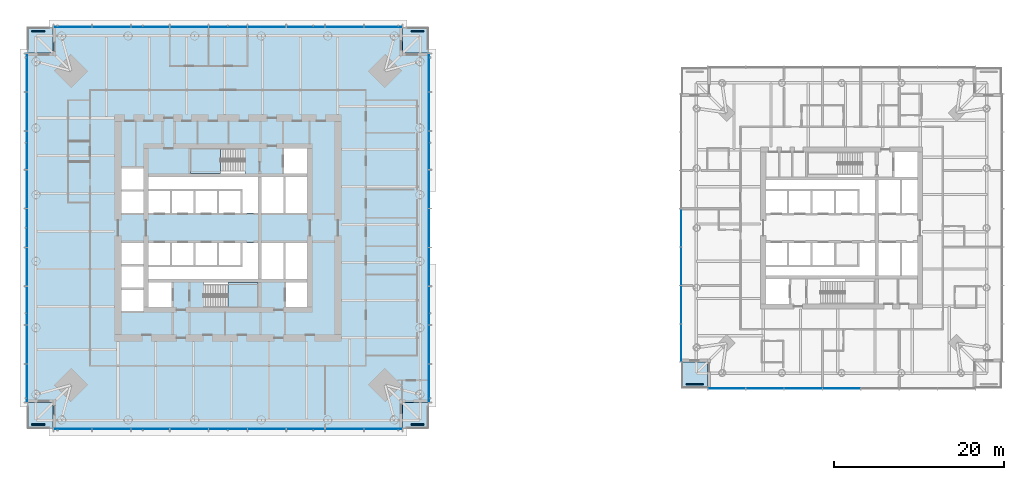
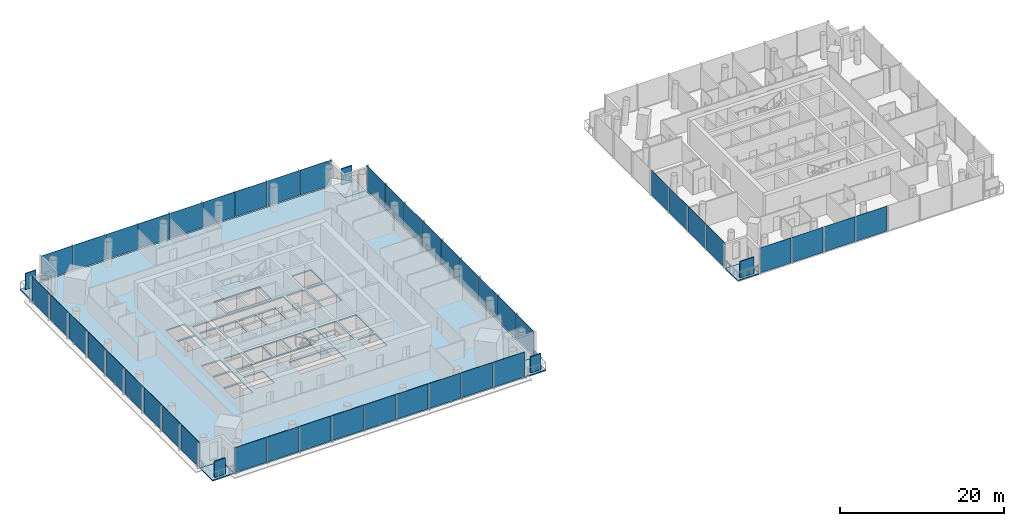
# One storey, part 7 of 26: 49 plates, 8 slabs, 8 elements without a shape of their own.
"""IFC4 building model written with IfcOpenShell, lengths in metres."""

from ifc_helpers import new_model, si_unit, direction, frame, origin, origin_2d, place, context, subcontext, project, spatial, polyline, rectangle, outline, extrude, material, layer, layer_set, type_object, element, aggregate, save


model = new_model("IFC4")

# Units and contexts
model_context = context("Model", 3, precision=1e-05, world=origin(), true_north=direction((0.0, 1.0)))
body_context = subcontext(model_context, "Body", "Model", "MODEL_VIEW")
ifc_project = project(units=[si_unit("LENGTHUNIT", "METRE"), si_unit("AREAUNIT", "SQUARE_METRE"), si_unit("VOLUMEUNIT", "CUBIC_METRE"), si_unit("PLANEANGLEUNIT", "RADIAN"), si_unit("MASSUNIT", "GRAM", prefix="KILO")], contexts=[model_context])

# Site, building, storey
site_placement = place(None, origin())
site = spatial("IfcSite", under=ifc_project, at=site_placement, CompositionType="ELEMENT")
building_placement = place(site_placement, origin())
building = spatial("IfcBuilding", under=site, at=building_placement, Name="Ostroluk Exchange", CompositionType="ELEMENT")
storey_placement = place(building_placement, frame((0.0, 0.0, 66.60009765625)))
storey = spatial("IfcBuildingStorey", under=building, at=storey_placement, Name="L16", CompositionType="ELEMENT", Elevation=66.60009765625)

# Curtain wall, plates
ifc_material_1 = material(Name="Laminated clear glass", Category="glass")
curtain_wall_type_1 = type_object("IfcCurtainWallType", Name="Hotel guest floor facade", PredefinedType="USERDEFINED", material=ifc_material_1)
curtain_wall_1_placement = place(storey_placement, origin())
curtain_wall_1 = element("IfcCurtainWall", 1, at=curtain_wall_1_placement, inside=storey, type_object=curtain_wall_type_1, Name="Hotel tower south facade L16", ObjectType="UNITISED CURTAIN WALL", PredefinedType="USERDEFINED")
ifc_material_2 = material(Name="Laminated clear glass", Category="glass")
ifc_layer_1 = layer(ifc_material_2, 0.0400390625)
ifc_layer_set_1 = layer_set([ifc_layer_1], Name="Acoustic laminated glazing 40")
plate_type_1 = type_object("IfcPlateType", Name="Acoustic laminated glazing 40", PredefinedType="CURTAIN_PANEL", material=ifc_layer_set_1)
plate_1_placement = place(storey_placement, frame((103.52001953125, 27.175048828125, 0.080078125), z_axis=(0.0, 0.0, 1.0), x_axis=(1.0, 0.0, 0.0)))
plate_1 = element("IfcPlate", 2, at=plate_1_placement, type_object=plate_type_1, Name="CW-H1 panel 1.1", PredefinedType="CURTAIN_PANEL", context=body_context, shape_type="SweptSolid", body=[
    extrude(rectangle(XDim=4.3798828125, YDim=0.0400390625, at=origin_2d()), origin(), (0.0, 0.0, 1.0), 3.719970703125),
])
plate_2_placement = place(storey_placement, frame((108.0, 27.175048828125, 0.080078125), z_axis=(0.0, 0.0, 1.0), x_axis=(1.0, 0.0, 0.0)))
plate_2 = element("IfcPlate", 3, at=plate_2_placement, type_object=plate_type_1, Name="CW-H1 panel 2.1", PredefinedType="CURTAIN_PANEL", context=body_context, shape_type="SweptSolid", body=[
    extrude(rectangle(XDim=4.419921875, YDim=0.0400390625, at=origin_2d()), origin(), (0.0, 0.0, 1.0), 3.719970703125),
])
plate_3_placement = place(storey_placement, frame((112.5, 27.175048828125, 0.080078125), z_axis=(0.0, 0.0, 1.0), x_axis=(1.0, 0.0, 0.0)))
plate_3 = element("IfcPlate", 4, at=plate_3_placement, type_object=plate_type_1, Name="CW-H1 panel 3.1", PredefinedType="CURTAIN_PANEL", context=body_context, shape_type="SweptSolid", body=[
    extrude(rectangle(XDim=4.419921875, YDim=0.0400390625, at=origin_2d()), origin(), (0.0, 0.0, 1.0), 3.719970703125),
])
plate_4_placement = place(storey_placement, frame((117.0, 27.175048828125, 0.080078125), z_axis=(0.0, 0.0, 1.0), x_axis=(1.0, 0.0, 0.0)))
plate_4 = element("IfcPlate", 5, at=plate_4_placement, type_object=plate_type_1, Name="CW-H1 panel 4.1", PredefinedType="CURTAIN_PANEL", context=body_context, shape_type="SweptSolid", body=[
    extrude(rectangle(XDim=4.419921875, YDim=0.0400390625, at=origin_2d()), origin(), (0.0, 0.0, 1.0), 3.719970703125),
])
aggregate(curtain_wall_1, [plate_1, plate_2, plate_3, plate_4])

curtain_wall_2_placement = place(storey_placement, origin())
curtain_wall_2 = element("IfcCurtainWall", 6, at=curtain_wall_2_placement, inside=storey, type_object=curtain_wall_type_1, Name="Hotel tower west facade L16", ObjectType="UNITISED CURTAIN WALL", PredefinedType="USERDEFINED")
plate_5_placement = place(storey_placement, frame((98.175048828125, 46.0, 0.080078125), z_axis=(0.0, 0.0, 1.0), x_axis=(0.0, -1.0, 0.0)))
plate_5 = element("IfcPlate", 7, at=plate_5_placement, type_object=plate_type_1, Name="CW-H1 panel 4.1", PredefinedType="CURTAIN_PANEL", context=body_context, shape_type="SweptSolid", body=[
    extrude(rectangle(XDim=4.419921875, YDim=0.0400390625, at=origin_2d()), origin(), (0.0, 0.0, 1.0), 3.719970703125),
])
plate_6_placement = place(storey_placement, frame((98.175048828125, 41.5, 0.080078125), z_axis=(0.0, 0.0, 1.0), x_axis=(0.0, -1.0, 0.0)))
plate_6 = element("IfcPlate", 8, at=plate_6_placement, type_object=plate_type_1, Name="CW-H1 panel 5.1", PredefinedType="CURTAIN_PANEL", context=body_context, shape_type="SweptSolid", body=[
    extrude(rectangle(XDim=4.419921875, YDim=0.0400390625, at=origin_2d()), origin(), (0.0, 0.0, 1.0), 3.719970703125),
])
plate_7_placement = place(storey_placement, frame((98.175048828125, 37.0, 0.080078125), z_axis=(0.0, 0.0, 1.0), x_axis=(0.0, -1.0, 0.0)))
plate_7 = element("IfcPlate", 9, at=plate_7_placement, type_object=plate_type_1, Name="CW-H1 panel 6.1", PredefinedType="CURTAIN_PANEL", context=body_context, shape_type="SweptSolid", body=[
    extrude(rectangle(XDim=4.419921875, YDim=0.0400390625, at=origin_2d()), origin(), (0.0, 0.0, 1.0), 3.719970703125),
])
plate_8_placement = place(storey_placement, frame((98.175048828125, 32.52001953125, 0.080078125), z_axis=(0.0, 0.0, 1.0), x_axis=(0.0, -1.0, 0.0)))
plate_8 = element("IfcPlate", 10, at=plate_8_placement, type_object=plate_type_1, Name="CW-H1 panel 7.1", PredefinedType="CURTAIN_PANEL", context=body_context, shape_type="SweptSolid", body=[
    extrude(rectangle(XDim=4.3798828125, YDim=0.0400390625, at=origin_2d()), origin(), (0.0, 0.0, 1.0), 3.719970703125),
])
aggregate(curtain_wall_2, [plate_5, plate_6, plate_7, plate_8])

# Slabs
ifc_material_3 = material(Name="Concrete C35/45", Category="concrete")
ifc_layer_2 = layer(ifc_material_3, 0.179931640625)
ifc_layer_set_2 = layer_set([ifc_layer_2], Name="Balcony slab 180")
slab_type_1 = type_object("IfcSlabType", Name="Balcony slab 180", PredefinedType="USERDEFINED", material=ifc_layer_set_2)
slab_1_placement = place(storey_placement, frame((0.0, 0.0, -0.18017578125)))
element("IfcSlab", 11, at=slab_1_placement, inside=storey, type_object=slab_type_1, Name="Office tower SE corner balcony L16", ObjectType="BALCONY", PredefinedType="USERDEFINED", context=body_context, shape_type="SweptSolid", body=[
    extrude(outline(polyline([(65.5, 22.5), (68.5, 22.5), (68.5, 25.5), (65.5, 25.5), (65.5, 22.5)])), origin(), (0.0, 0.0, 1.0), 0.18017578125),
])
slab_2_placement = place(storey_placement, frame((0.0, 0.0, -0.18017578125)))
element("IfcSlab", 12, at=slab_2_placement, inside=storey, type_object=slab_type_1, Name="Office tower NE corner balcony L16", ObjectType="BALCONY", PredefinedType="USERDEFINED", context=body_context, shape_type="SweptSolid", body=[
    extrude(outline(polyline([(65.5, 66.5), (68.5, 66.5), (68.5, 69.5), (65.5, 69.5), (65.5, 66.5)])), origin(), (0.0, 0.0, 1.0), 0.18017578125),
])
slab_3_placement = place(storey_placement, frame((0.0, 0.0, -0.18017578125)))
element("IfcSlab", 13, at=slab_3_placement, inside=storey, type_object=slab_type_1, Name="Office tower NW corner balcony L16", ObjectType="BALCONY", PredefinedType="USERDEFINED", context=body_context, shape_type="SweptSolid", body=[
    extrude(outline(polyline([(21.5, 66.5), (24.5, 66.5), (24.5, 69.5), (21.5, 69.5), (21.5, 66.5)])), origin(), (0.0, 0.0, 1.0), 0.18017578125),
])
slab_4_placement = place(storey_placement, frame((0.0, 0.0, -0.18017578125)))
element("IfcSlab", 14, at=slab_4_placement, inside=storey, type_object=slab_type_1, Name="Office tower SW corner balcony L16", ObjectType="BALCONY", PredefinedType="USERDEFINED", context=body_context, shape_type="SweptSolid", body=[
    extrude(outline(polyline([(21.5, 22.5), (24.5, 22.5), (24.5, 25.5), (21.5, 25.5), (21.5, 22.5)])), origin(), (0.0, 0.0, 1.0), 0.18017578125),
])
ifc_material_4 = material(Name="Concrete C35/45", Category="concrete")
ifc_layer_3 = layer(ifc_material_4, 0.199951171875)
ifc_layer_set_3 = layer_set([ifc_layer_3], Name="Balcony slab 200")
slab_type_2 = type_object("IfcSlabType", Name="Balcony slab 200", PredefinedType="USERDEFINED", material=ifc_layer_set_3)
slab_5_placement = place(storey_placement, frame((0.0, 0.0, -0.2001953125)))
element("IfcSlab", 15, at=slab_5_placement, inside=storey, type_object=slab_type_2, Name="Hotel tower SW corner balcony L16", ObjectType="BALCONY", PredefinedType="USERDEFINED", context=body_context, shape_type="SweptSolid", body=[
    extrude(outline(polyline([(98.25, 27.25), (101.25, 27.25), (101.25, 30.25), (98.25, 30.25), (98.25, 27.25)])), origin(), (0.0, 0.0, 1.0), 0.2001953125),
])

# Plates
ifc_material_5 = material(Name="Steel S355 trellis with planting", Category="steel")
ifc_layer_4 = layer(ifc_material_5, 0.14990234375)
ifc_layer_set_4 = layer_set([ifc_layer_4], Name="Planted screen 150")
plate_type_2 = type_object("IfcPlateType", Name="Planted screen 150", PredefinedType="USERDEFINED", material=ifc_layer_set_4)
for number, where, z_axis, x_axis, name in (
    (16, (67.25, 22.925048828125, 0.0), (0.0, 0.0, 1.0), (1.0, 0.0, 0.0), "Office tower SE planted screen L16"),
    (17, (67.25, 69.074951171875, 0.0), (0.0, 0.0, 1.0), (1.0, 0.0, 0.0), "Office tower NE planted screen L16"),
    (18, (22.75, 69.074951171875, 0.0), (0.0, 0.0, 1.0), (1.0, 0.0, 0.0), "Office tower NW planted screen L16"),
    (19, (22.75, 22.925048828125, 0.0), (0.0, 0.0, 1.0), (1.0, 0.0, 0.0), "Office tower SW planted screen L16"),
):
    element("IfcPlate", number, at=place(storey_placement, frame(where, z_axis=z_axis, x_axis=x_axis)), inside=storey, type_object=plate_type_2, Name=name, ObjectType="PLANTED SCREEN", PredefinedType="USERDEFINED", context=body_context, shape_type="SweptSolid", body=[
        extrude(rectangle(XDim=1.5, YDim=0.14990234375, at=origin_2d()), origin(), (0.0, 0.0, 1.0), 2.39990234375),
    ])
plate_9_placement = place(storey_placement, frame((99.75, 27.675048828125, 0.0), z_axis=(0.0, 0.0, 1.0), x_axis=(1.0, 0.0, 0.0)))
element("IfcPlate", 20, at=plate_9_placement, inside=storey, type_object=plate_type_2, Name="Hotel tower SW planted screen L16", ObjectType="PLANTED SCREEN", PredefinedType="USERDEFINED", context=body_context, shape_type="SweptSolid", body=[
    extrude(rectangle(XDim=2.0, YDim=0.14990234375, at=origin_2d()), origin(), (0.0, 0.0, 1.0), 2.39990234375),
])

# Stair, slab
ifc_material_6 = material(Name="Concrete C30/37", Category="concrete")
stair_type = type_object("IfcStairType", Name="Exit stair half turn 3800", PredefinedType="HALF_TURN_STAIR", material=ifc_material_6)
stair_1_placement = place(storey_placement, origin())
stair_1 = element("IfcStair", 21, at=stair_1_placement, inside=storey, type_object=stair_type, Name="Stair T1-S1 L16", PredefinedType="HALF_TURN_STAIR")
ifc_material_7 = material(Name="Concrete C30/37", Category="concrete")
ifc_layer_5 = layer(ifc_material_7, 0.199951171875)
ifc_layer_set_5 = layer_set([ifc_layer_5], Name="Stair landing 200")
slab_type_3 = type_object("IfcSlabType", Name="Stair landing 200", PredefinedType="LANDING", material=ifc_layer_set_5)
slab_6_placement = place(storey_placement, frame((0.0, 0.0, 1.699951171875)))
slab_6 = element("IfcSlab", 22, at=slab_6_placement, type_object=slab_type_3, Name="T1-S1 landing 1", PredefinedType="LANDING", context=body_context, shape_type="SweptSolid", body=[
    extrude(outline(polyline([(45.0, 36.699951171875), (45.0, 39.60009765625), (48.530029296875, 39.60009765625), (48.530029296875, 36.699951171875), (45.0, 36.699951171875)])), origin(), (0.0, 0.0, 1.0), 0.199951171875),
])
aggregate(stair_1, [slab_6])

stair_2_placement = place(storey_placement, origin())
stair_2 = element("IfcStair", 23, at=stair_2_placement, inside=storey, type_object=stair_type, Name="Stair T1-S2 L16", PredefinedType="HALF_TURN_STAIR")
slab_7_placement = place(storey_placement, frame((0.0, 0.0, 1.699951171875)))
slab_7 = element("IfcSlab", 24, at=slab_7_placement, type_object=slab_type_3, Name="T1-S2 landing 1", PredefinedType="LANDING", context=body_context, shape_type="SweptSolid", body=[
    extrude(outline(polyline([(44.1298828125, 52.39990234375), (44.1298828125, 55.300048828125), (40.60009765625, 55.300048828125), (40.60009765625, 52.39990234375), (44.1298828125, 52.39990234375)])), origin(), (0.0, 0.0, 1.0), 0.199951171875),
])
aggregate(stair_2, [slab_7])

# Slab
ifc_material_8 = material(Name="Concrete C35/45", Category="concrete")
ifc_layer_6 = layer(ifc_material_8, 0.179931640625)
ifc_layer_set_6 = layer_set([ifc_layer_6], Name="Tower floor slab 180 composite")
slab_type_4 = type_object("IfcSlabType", Name="Tower floor slab 180 composite", PredefinedType="FLOOR", material=ifc_layer_set_6)
slab_8_placement = place(storey_placement, frame((0.0, 0.0, -0.18017578125)))
element("IfcSlab", 25, at=slab_8_placement, inside=storey, type_object=slab_type_4, Name="Office tower floor slab L16", PredefinedType="FLOOR", context=body_context, shape_type="SweptSolid", body=[
    extrude(outline(polyline([(24.5, 22.5), (65.5, 22.5), (65.5, 25.5), (68.5, 25.5), (68.5, 66.5), (65.5, 66.5), (65.5, 69.5), (24.5, 69.5), (24.5, 66.5), (21.5, 66.5), (21.5, 25.5), (24.5, 25.5), (24.5, 22.5)]), holes=[polyline([(35.699951171875, 36.699951171875), (38.39990234375, 36.699951171875), (38.39990234375, 39.60009765625), (35.699951171875, 39.60009765625), (35.699951171875, 36.699951171875)]), polyline([(42.110107421875, 36.699951171875), (48.530029296875, 36.699951171875), (48.530029296875, 39.60009765625), (42.110107421875, 39.60009765625), (42.110107421875, 36.699951171875)]), polyline([(51.800048828125, 36.699951171875), (54.300048828125, 36.699951171875), (54.300048828125, 39.60009765625), (51.800048828125, 39.60009765625), (51.800048828125, 36.699951171875)]), polyline([(40.60009765625, 52.39990234375), (47.02001953125, 52.39990234375), (47.02001953125, 55.300048828125), (40.60009765625, 55.300048828125), (40.60009765625, 52.39990234375)]), polyline([(51.60009765625, 52.39990234375), (54.300048828125, 52.39990234375), (54.300048828125, 55.300048828125), (51.60009765625, 55.300048828125), (51.60009765625, 52.39990234375)]), polyline([(35.699951171875, 47.75), (38.199951171875, 47.75), (38.199951171875, 50.35009765625), (35.699951171875, 50.35009765625), (35.699951171875, 47.75)]), polyline([(38.449951171875, 47.75), (40.949951171875, 47.75), (40.949951171875, 50.35009765625), (38.449951171875, 50.35009765625), (38.449951171875, 47.75)]), polyline([(41.199951171875, 47.75), (43.699951171875, 47.75), (43.699951171875, 50.35009765625), (41.199951171875, 50.35009765625), (41.199951171875, 47.75)]), polyline([(43.949951171875, 47.75), (46.449951171875, 47.75), (46.449951171875, 50.35009765625), (43.949951171875, 50.35009765625), (43.949951171875, 47.75)]), polyline([(35.699951171875, 41.64990234375), (38.199951171875, 41.64990234375), (38.199951171875, 44.25), (35.699951171875, 44.25), (35.699951171875, 41.64990234375)]), polyline([(38.449951171875, 41.64990234375), (40.949951171875, 41.64990234375), (40.949951171875, 44.25), (38.449951171875, 44.25), (38.449951171875, 41.64990234375)]), polyline([(41.199951171875, 41.64990234375), (43.699951171875, 41.64990234375), (43.699951171875, 44.25), (41.199951171875, 44.25), (41.199951171875, 41.64990234375)]), polyline([(43.949951171875, 41.64990234375), (46.449951171875, 41.64990234375), (46.449951171875, 44.25), (43.949951171875, 44.25), (43.949951171875, 41.64990234375)]), polyline([(48.929931640625, 47.75), (51.489990234375, 47.75), (51.489990234375, 52.0), (48.929931640625, 52.0), (48.929931640625, 47.75)]), polyline([(51.739990234375, 47.75), (54.300048828125, 47.75), (54.300048828125, 52.0), (51.739990234375, 52.0), (51.739990234375, 47.75)]), polyline([(48.929931640625, 40.0), (51.489990234375, 40.0), (51.489990234375, 44.25), (48.929931640625, 44.25), (48.929931640625, 40.0)]), polyline([(51.739990234375, 40.0), (54.300048828125, 40.0), (54.300048828125, 44.25), (51.739990234375, 44.25), (51.739990234375, 40.0)]), polyline([(48.530029296875, 52.0), (48.530029296875, 47.75), (46.699951171875, 47.75), (46.699951171875, 50.60009765625), (35.699951171875, 50.60009765625), (35.699951171875, 52.0), (48.530029296875, 52.0)]), polyline([(35.699951171875, 40.0), (35.699951171875, 41.39990234375), (46.699951171875, 41.39990234375), (46.699951171875, 44.25), (48.530029296875, 44.25), (48.530029296875, 40.0), (35.699951171875, 40.0)]), polyline([(32.5, 36.25), (35.10009765625, 36.25), (35.10009765625, 38.75), (32.5, 38.75), (32.5, 36.25)]), polyline([(32.5, 39.0), (35.10009765625, 39.0), (35.10009765625, 41.5), (32.5, 41.5), (32.5, 39.0)]), polyline([(32.5, 41.75), (35.10009765625, 41.75), (35.10009765625, 44.25), (32.5, 44.25), (32.5, 41.75)]), polyline([(32.5, 47.75), (35.10009765625, 47.75), (35.10009765625, 50.25), (32.5, 50.25), (32.5, 47.75)]), polyline([(32.5, 50.5), (35.10009765625, 50.5), (35.10009765625, 53.0), (32.5, 53.0), (32.5, 50.5)])]), origin(), (0.0, 0.0, 1.0), 0.18017578125),
])

# Curtain wall, plates
ifc_material_9 = material(Name="Laminated clear glass", Category="glass")
curtain_wall_type_2 = type_object("IfcCurtainWallType", Name="Office tower facade", PredefinedType="USERDEFINED", material=ifc_material_9)
curtain_wall_3_placement = place(storey_placement, origin())
curtain_wall_3 = element("IfcCurtainWall", 26, at=curtain_wall_3_placement, inside=storey, type_object=curtain_wall_type_2, Name="Office tower south facade L16", ObjectType="UNITISED CURTAIN WALL", PredefinedType="USERDEFINED")
ifc_material_10 = material(Name="Laminated clear glass", Category="glass")
ifc_layer_7 = layer(ifc_material_10, 0.0439453125)
ifc_layer_set_7 = layer_set([ifc_layer_7], Name="Triple laminated clear glazing 44")
plate_type_3 = type_object("IfcPlateType", Name="Triple laminated clear glazing 44", PredefinedType="CURTAIN_PANEL", material=ifc_layer_set_7)
plate_10_placement = place(storey_placement, frame((26.7978515625, 22.425048828125, 0.080078125), z_axis=(0.0, 0.0, 1.0), x_axis=(1.0, 0.0, 0.0)))
plate_10 = element("IfcPlate", 27, at=plate_10_placement, type_object=plate_type_3, Name="CW-O1 panel 1.1", PredefinedType="CURTAIN_PANEL", context=body_context, shape_type="SweptSolid", body=[
    extrude(rectangle(XDim=4.435546875, YDim=0.0439453125, at=origin_2d()), origin(), (0.0, 0.0, 1.0), 3.719970703125),
])
plate_11_placement = place(storey_placement, frame((31.333251953125, 22.425048828125, 0.080078125), z_axis=(0.0, 0.0, 1.0), x_axis=(1.0, 0.0, 0.0)))
plate_11 = element("IfcPlate", 28, at=plate_11_placement, type_object=plate_type_3, Name="CW-O1 panel 2.1", PredefinedType="CURTAIN_PANEL", context=body_context, shape_type="SweptSolid", body=[
    extrude(rectangle(XDim=4.4755859375, YDim=0.0439453125, at=origin_2d()), origin(), (0.0, 0.0, 1.0), 3.719970703125),
])
plate_12_placement = place(storey_placement, frame((35.888916015625, 22.425048828125, 0.080078125), z_axis=(0.0, 0.0, 1.0), x_axis=(1.0, 0.0, 0.0)))
plate_12 = element("IfcPlate", 29, at=plate_12_placement, type_object=plate_type_3, Name="CW-O1 panel 3.1", PredefinedType="CURTAIN_PANEL", context=body_context, shape_type="SweptSolid", body=[
    extrude(rectangle(XDim=4.4755859375, YDim=0.0439453125, at=origin_2d()), origin(), (0.0, 0.0, 1.0), 3.719970703125),
])
plate_13_placement = place(storey_placement, frame((40.4443359375, 22.425048828125, 0.080078125), z_axis=(0.0, 0.0, 1.0), x_axis=(1.0, 0.0, 0.0)))
plate_13 = element("IfcPlate", 30, at=plate_13_placement, type_object=plate_type_3, Name="CW-O1 panel 4.1", PredefinedType="CURTAIN_PANEL", context=body_context, shape_type="SweptSolid", body=[
    extrude(rectangle(XDim=4.4755859375, YDim=0.0439453125, at=origin_2d()), origin(), (0.0, 0.0, 1.0), 3.719970703125),
])
plate_14_placement = place(storey_placement, frame((45.0, 22.425048828125, 0.080078125), z_axis=(0.0, 0.0, 1.0), x_axis=(1.0, 0.0, 0.0)))
plate_14 = element("IfcPlate", 31, at=plate_14_placement, type_object=plate_type_3, Name="CW-O1 panel 5.1", PredefinedType="CURTAIN_PANEL", context=body_context, shape_type="SweptSolid", body=[
    extrude(rectangle(XDim=4.4755859375, YDim=0.0439453125, at=origin_2d()), origin(), (0.0, 0.0, 1.0), 3.719970703125),
])
plate_15_placement = place(storey_placement, frame((49.5556640625, 22.425048828125, 0.080078125), z_axis=(0.0, 0.0, 1.0), x_axis=(1.0, 0.0, 0.0)))
plate_15 = element("IfcPlate", 32, at=plate_15_placement, type_object=plate_type_3, Name="CW-O1 panel 6.1", PredefinedType="CURTAIN_PANEL", context=body_context, shape_type="SweptSolid", body=[
    extrude(rectangle(XDim=4.4755859375, YDim=0.0439453125, at=origin_2d()), origin(), (0.0, 0.0, 1.0), 3.719970703125),
])
plate_16_placement = place(storey_placement, frame((54.111083984375, 22.425048828125, 0.080078125), z_axis=(0.0, 0.0, 1.0), x_axis=(1.0, 0.0, 0.0)))
plate_16 = element("IfcPlate", 33, at=plate_16_placement, type_object=plate_type_3, Name="CW-O1 panel 7.1", PredefinedType="CURTAIN_PANEL", context=body_context, shape_type="SweptSolid", body=[
    extrude(rectangle(XDim=4.4755859375, YDim=0.0439453125, at=origin_2d()), origin(), (0.0, 0.0, 1.0), 3.719970703125),
])
plate_17_placement = place(storey_placement, frame((58.666748046875, 22.425048828125, 0.080078125), z_axis=(0.0, 0.0, 1.0), x_axis=(1.0, 0.0, 0.0)))
plate_17 = element("IfcPlate", 34, at=plate_17_placement, type_object=plate_type_3, Name="CW-O1 panel 8.1", PredefinedType="CURTAIN_PANEL", context=body_context, shape_type="SweptSolid", body=[
    extrude(rectangle(XDim=4.4755859375, YDim=0.0439453125, at=origin_2d()), origin(), (0.0, 0.0, 1.0), 3.719970703125),
])
plate_18_placement = place(storey_placement, frame((63.2021484375, 22.425048828125, 0.080078125), z_axis=(0.0, 0.0, 1.0), x_axis=(1.0, 0.0, 0.0)))
plate_18 = element("IfcPlate", 35, at=plate_18_placement, type_object=plate_type_3, Name="CW-O1 panel 9.1", PredefinedType="CURTAIN_PANEL", context=body_context, shape_type="SweptSolid", body=[
    extrude(rectangle(XDim=4.435546875, YDim=0.0439453125, at=origin_2d()), origin(), (0.0, 0.0, 1.0), 3.719970703125),
])
aggregate(curtain_wall_3, [plate_10, plate_11, plate_12, plate_13, plate_14, plate_15, plate_16, plate_17, plate_18])

curtain_wall_4_placement = place(storey_placement, origin())
curtain_wall_4 = element("IfcCurtainWall", 36, at=curtain_wall_4_placement, inside=storey, type_object=curtain_wall_type_2, Name="Office tower east facade L16", ObjectType="UNITISED CURTAIN WALL", PredefinedType="USERDEFINED")
plate_19_placement = place(storey_placement, frame((68.574951171875, 27.7978515625, 0.080078125), z_axis=(0.0, 0.0, 1.0), x_axis=(0.0, 1.0, 0.0)))
plate_19 = element("IfcPlate", 37, at=plate_19_placement, type_object=plate_type_3, Name="CW-O1 panel 1.1", PredefinedType="CURTAIN_PANEL", context=body_context, shape_type="SweptSolid", body=[
    extrude(rectangle(XDim=4.435546875, YDim=0.0439453125, at=origin_2d()), origin(), (0.0, 0.0, 1.0), 3.719970703125),
])
plate_20_placement = place(storey_placement, frame((68.574951171875, 32.333251953125, 0.080078125), z_axis=(0.0, 0.0, 1.0), x_axis=(0.0, 1.0, 0.0)))
plate_20 = element("IfcPlate", 38, at=plate_20_placement, type_object=plate_type_3, Name="CW-O1 panel 2.1", PredefinedType="CURTAIN_PANEL", context=body_context, shape_type="SweptSolid", body=[
    extrude(rectangle(XDim=4.4755859375, YDim=0.0439453125, at=origin_2d()), origin(), (0.0, 0.0, 1.0), 3.719970703125),
])
plate_21_placement = place(storey_placement, frame((68.574951171875, 36.888916015625, 0.080078125), z_axis=(0.0, 0.0, 1.0), x_axis=(0.0, 1.0, 0.0)))
plate_21 = element("IfcPlate", 39, at=plate_21_placement, type_object=plate_type_3, Name="CW-O1 panel 3.1", PredefinedType="CURTAIN_PANEL", context=body_context, shape_type="SweptSolid", body=[
    extrude(rectangle(XDim=4.4755859375, YDim=0.0439453125, at=origin_2d()), origin(), (0.0, 0.0, 1.0), 3.719970703125),
])
plate_22_placement = place(storey_placement, frame((68.574951171875, 41.4443359375, 0.080078125), z_axis=(0.0, 0.0, 1.0), x_axis=(0.0, 1.0, 0.0)))
plate_22 = element("IfcPlate", 40, at=plate_22_placement, type_object=plate_type_3, Name="CW-O1 panel 4.1", PredefinedType="CURTAIN_PANEL", context=body_context, shape_type="SweptSolid", body=[
    extrude(rectangle(XDim=4.4755859375, YDim=0.0439453125, at=origin_2d()), origin(), (0.0, 0.0, 1.0), 3.719970703125),
])
plate_23_placement = place(storey_placement, frame((68.574951171875, 46.0, 0.080078125), z_axis=(0.0, 0.0, 1.0), x_axis=(0.0, 1.0, 0.0)))
plate_23 = element("IfcPlate", 41, at=plate_23_placement, type_object=plate_type_3, Name="CW-O1 panel 5.1", PredefinedType="CURTAIN_PANEL", context=body_context, shape_type="SweptSolid", body=[
    extrude(rectangle(XDim=4.4755859375, YDim=0.0439453125, at=origin_2d()), origin(), (0.0, 0.0, 1.0), 3.719970703125),
])
plate_24_placement = place(storey_placement, frame((68.574951171875, 50.5556640625, 0.080078125), z_axis=(0.0, 0.0, 1.0), x_axis=(0.0, 1.0, 0.0)))
plate_24 = element("IfcPlate", 42, at=plate_24_placement, type_object=plate_type_3, Name="CW-O1 panel 6.1", PredefinedType="CURTAIN_PANEL", context=body_context, shape_type="SweptSolid", body=[
    extrude(rectangle(XDim=4.4755859375, YDim=0.0439453125, at=origin_2d()), origin(), (0.0, 0.0, 1.0), 3.719970703125),
])
plate_25_placement = place(storey_placement, frame((68.574951171875, 55.111083984375, 0.080078125), z_axis=(0.0, 0.0, 1.0), x_axis=(0.0, 1.0, 0.0)))
plate_25 = element("IfcPlate", 43, at=plate_25_placement, type_object=plate_type_3, Name="CW-O1 panel 7.1", PredefinedType="CURTAIN_PANEL", context=body_context, shape_type="SweptSolid", body=[
    extrude(rectangle(XDim=4.4755859375, YDim=0.0439453125, at=origin_2d()), origin(), (0.0, 0.0, 1.0), 3.719970703125),
])
plate_26_placement = place(storey_placement, frame((68.574951171875, 59.666748046875, 0.080078125), z_axis=(0.0, 0.0, 1.0), x_axis=(0.0, 1.0, 0.0)))
plate_26 = element("IfcPlate", 44, at=plate_26_placement, type_object=plate_type_3, Name="CW-O1 panel 8.1", PredefinedType="CURTAIN_PANEL", context=body_context, shape_type="SweptSolid", body=[
    extrude(rectangle(XDim=4.4755859375, YDim=0.0439453125, at=origin_2d()), origin(), (0.0, 0.0, 1.0), 3.719970703125),
])
plate_27_placement = place(storey_placement, frame((68.574951171875, 64.2021484375, 0.080078125), z_axis=(0.0, 0.0, 1.0), x_axis=(0.0, 1.0, 0.0)))
plate_27 = element("IfcPlate", 45, at=plate_27_placement, type_object=plate_type_3, Name="CW-O1 panel 9.1", PredefinedType="CURTAIN_PANEL", context=body_context, shape_type="SweptSolid", body=[
    extrude(rectangle(XDim=4.435546875, YDim=0.0439453125, at=origin_2d()), origin(), (0.0, 0.0, 1.0), 3.719970703125),
])
aggregate(curtain_wall_4, [plate_19, plate_20, plate_21, plate_22, plate_23, plate_24, plate_25, plate_26, plate_27])

curtain_wall_5_placement = place(storey_placement, origin())
curtain_wall_5 = element("IfcCurtainWall", 46, at=curtain_wall_5_placement, inside=storey, type_object=curtain_wall_type_2, Name="Office tower north facade L16", ObjectType="UNITISED CURTAIN WALL", PredefinedType="USERDEFINED")
plate_28_placement = place(storey_placement, frame((63.2021484375, 69.574951171875, 0.080078125), z_axis=(0.0, 0.0, 1.0), x_axis=(-1.0, 0.0, 0.0)))
plate_28 = element("IfcPlate", 47, at=plate_28_placement, type_object=plate_type_3, Name="CW-O1 panel 1.1", PredefinedType="CURTAIN_PANEL", context=body_context, shape_type="SweptSolid", body=[
    extrude(rectangle(XDim=4.435546875, YDim=0.0439453125, at=origin_2d()), origin(), (0.0, 0.0, 1.0), 3.719970703125),
])
plate_29_placement = place(storey_placement, frame((58.666748046875, 69.574951171875, 0.080078125), z_axis=(0.0, 0.0, 1.0), x_axis=(-1.0, 0.0, 0.0)))
plate_29 = element("IfcPlate", 48, at=plate_29_placement, type_object=plate_type_3, Name="CW-O1 panel 2.1", PredefinedType="CURTAIN_PANEL", context=body_context, shape_type="SweptSolid", body=[
    extrude(rectangle(XDim=4.4755859375, YDim=0.0439453125, at=origin_2d()), origin(), (0.0, 0.0, 1.0), 3.719970703125),
])
plate_30_placement = place(storey_placement, frame((54.111083984375, 69.574951171875, 0.080078125), z_axis=(0.0, 0.0, 1.0), x_axis=(-1.0, 0.0, 0.0)))
plate_30 = element("IfcPlate", 49, at=plate_30_placement, type_object=plate_type_3, Name="CW-O1 panel 3.1", PredefinedType="CURTAIN_PANEL", context=body_context, shape_type="SweptSolid", body=[
    extrude(rectangle(XDim=4.4755859375, YDim=0.0439453125, at=origin_2d()), origin(), (0.0, 0.0, 1.0), 3.719970703125),
])
plate_31_placement = place(storey_placement, frame((49.5556640625, 69.574951171875, 0.080078125), z_axis=(0.0, 0.0, 1.0), x_axis=(-1.0, 0.0, 0.0)))
plate_31 = element("IfcPlate", 50, at=plate_31_placement, type_object=plate_type_3, Name="CW-O1 panel 4.1", PredefinedType="CURTAIN_PANEL", context=body_context, shape_type="SweptSolid", body=[
    extrude(rectangle(XDim=4.4755859375, YDim=0.0439453125, at=origin_2d()), origin(), (0.0, 0.0, 1.0), 3.719970703125),
])
plate_32_placement = place(storey_placement, frame((45.0, 69.574951171875, 0.080078125), z_axis=(0.0, 0.0, 1.0), x_axis=(-1.0, 0.0, 0.0)))
plate_32 = element("IfcPlate", 51, at=plate_32_placement, type_object=plate_type_3, Name="CW-O1 panel 5.1", PredefinedType="CURTAIN_PANEL", context=body_context, shape_type="SweptSolid", body=[
    extrude(rectangle(XDim=4.4755859375, YDim=0.0439453125, at=origin_2d()), origin(), (0.0, 0.0, 1.0), 3.719970703125),
])
plate_33_placement = place(storey_placement, frame((40.4443359375, 69.574951171875, 0.080078125), z_axis=(0.0, 0.0, 1.0), x_axis=(-1.0, 0.0, 0.0)))
plate_33 = element("IfcPlate", 52, at=plate_33_placement, type_object=plate_type_3, Name="CW-O1 panel 6.1", PredefinedType="CURTAIN_PANEL", context=body_context, shape_type="SweptSolid", body=[
    extrude(rectangle(XDim=4.4755859375, YDim=0.0439453125, at=origin_2d()), origin(), (0.0, 0.0, 1.0), 3.719970703125),
])
plate_34_placement = place(storey_placement, frame((35.888916015625, 69.574951171875, 0.080078125), z_axis=(0.0, 0.0, 1.0), x_axis=(-1.0, 0.0, 0.0)))
plate_34 = element("IfcPlate", 53, at=plate_34_placement, type_object=plate_type_3, Name="CW-O1 panel 7.1", PredefinedType="CURTAIN_PANEL", context=body_context, shape_type="SweptSolid", body=[
    extrude(rectangle(XDim=4.4755859375, YDim=0.0439453125, at=origin_2d()), origin(), (0.0, 0.0, 1.0), 3.719970703125),
])
plate_35_placement = place(storey_placement, frame((31.333251953125, 69.574951171875, 0.080078125), z_axis=(0.0, 0.0, 1.0), x_axis=(-1.0, 0.0, 0.0)))
plate_35 = element("IfcPlate", 54, at=plate_35_placement, type_object=plate_type_3, Name="CW-O1 panel 8.1", PredefinedType="CURTAIN_PANEL", context=body_context, shape_type="SweptSolid", body=[
    extrude(rectangle(XDim=4.4755859375, YDim=0.0439453125, at=origin_2d()), origin(), (0.0, 0.0, 1.0), 3.719970703125),
])
plate_36_placement = place(storey_placement, frame((26.7978515625, 69.574951171875, 0.080078125), z_axis=(0.0, 0.0, 1.0), x_axis=(-1.0, 0.0, 0.0)))
plate_36 = element("IfcPlate", 55, at=plate_36_placement, type_object=plate_type_3, Name="CW-O1 panel 9.1", PredefinedType="CURTAIN_PANEL", context=body_context, shape_type="SweptSolid", body=[
    extrude(rectangle(XDim=4.435546875, YDim=0.0439453125, at=origin_2d()), origin(), (0.0, 0.0, 1.0), 3.719970703125),
])
aggregate(curtain_wall_5, [plate_28, plate_29, plate_30, plate_31, plate_32, plate_33, plate_34, plate_35, plate_36])

curtain_wall_6_placement = place(storey_placement, origin())
curtain_wall_6 = element("IfcCurtainWall", 56, at=curtain_wall_6_placement, inside=storey, type_object=curtain_wall_type_2, Name="Office tower west facade L16", ObjectType="UNITISED CURTAIN WALL", PredefinedType="USERDEFINED")
plate_37_placement = place(storey_placement, frame((21.425048828125, 64.2021484375, 0.080078125), z_axis=(0.0, 0.0, 1.0), x_axis=(0.0, -1.0, 0.0)))
plate_37 = element("IfcPlate", 57, at=plate_37_placement, type_object=plate_type_3, Name="CW-O1 panel 1.1", PredefinedType="CURTAIN_PANEL", context=body_context, shape_type="SweptSolid", body=[
    extrude(rectangle(XDim=4.435546875, YDim=0.0439453125, at=origin_2d()), origin(), (0.0, 0.0, 1.0), 3.719970703125),
])
plate_38_placement = place(storey_placement, frame((21.425048828125, 59.666748046875, 0.080078125), z_axis=(0.0, 0.0, 1.0), x_axis=(0.0, -1.0, 0.0)))
plate_38 = element("IfcPlate", 58, at=plate_38_placement, type_object=plate_type_3, Name="CW-O1 panel 2.1", PredefinedType="CURTAIN_PANEL", context=body_context, shape_type="SweptSolid", body=[
    extrude(rectangle(XDim=4.4755859375, YDim=0.0439453125, at=origin_2d()), origin(), (0.0, 0.0, 1.0), 3.719970703125),
])
plate_39_placement = place(storey_placement, frame((21.425048828125, 55.111083984375, 0.080078125), z_axis=(0.0, 0.0, 1.0), x_axis=(0.0, -1.0, 0.0)))
plate_39 = element("IfcPlate", 59, at=plate_39_placement, type_object=plate_type_3, Name="CW-O1 panel 3.1", PredefinedType="CURTAIN_PANEL", context=body_context, shape_type="SweptSolid", body=[
    extrude(rectangle(XDim=4.4755859375, YDim=0.0439453125, at=origin_2d()), origin(), (0.0, 0.0, 1.0), 3.719970703125),
])
plate_40_placement = place(storey_placement, frame((21.425048828125, 50.5556640625, 0.080078125), z_axis=(0.0, 0.0, 1.0), x_axis=(0.0, -1.0, 0.0)))
plate_40 = element("IfcPlate", 60, at=plate_40_placement, type_object=plate_type_3, Name="CW-O1 panel 4.1", PredefinedType="CURTAIN_PANEL", context=body_context, shape_type="SweptSolid", body=[
    extrude(rectangle(XDim=4.4755859375, YDim=0.0439453125, at=origin_2d()), origin(), (0.0, 0.0, 1.0), 3.719970703125),
])
plate_41_placement = place(storey_placement, frame((21.425048828125, 46.0, 0.080078125), z_axis=(0.0, 0.0, 1.0), x_axis=(0.0, -1.0, 0.0)))
plate_41 = element("IfcPlate", 61, at=plate_41_placement, type_object=plate_type_3, Name="CW-O1 panel 5.1", PredefinedType="CURTAIN_PANEL", context=body_context, shape_type="SweptSolid", body=[
    extrude(rectangle(XDim=4.4755859375, YDim=0.0439453125, at=origin_2d()), origin(), (0.0, 0.0, 1.0), 3.719970703125),
])
plate_42_placement = place(storey_placement, frame((21.425048828125, 41.4443359375, 0.080078125), z_axis=(0.0, 0.0, 1.0), x_axis=(0.0, -1.0, 0.0)))
plate_42 = element("IfcPlate", 62, at=plate_42_placement, type_object=plate_type_3, Name="CW-O1 panel 6.1", PredefinedType="CURTAIN_PANEL", context=body_context, shape_type="SweptSolid", body=[
    extrude(rectangle(XDim=4.4755859375, YDim=0.0439453125, at=origin_2d()), origin(), (0.0, 0.0, 1.0), 3.719970703125),
])
plate_43_placement = place(storey_placement, frame((21.425048828125, 36.888916015625, 0.080078125), z_axis=(0.0, 0.0, 1.0), x_axis=(0.0, -1.0, 0.0)))
plate_43 = element("IfcPlate", 63, at=plate_43_placement, type_object=plate_type_3, Name="CW-O1 panel 7.1", PredefinedType="CURTAIN_PANEL", context=body_context, shape_type="SweptSolid", body=[
    extrude(rectangle(XDim=4.4755859375, YDim=0.0439453125, at=origin_2d()), origin(), (0.0, 0.0, 1.0), 3.719970703125),
])
plate_44_placement = place(storey_placement, frame((21.425048828125, 32.333251953125, 0.080078125), z_axis=(0.0, 0.0, 1.0), x_axis=(0.0, -1.0, 0.0)))
plate_44 = element("IfcPlate", 64, at=plate_44_placement, type_object=plate_type_3, Name="CW-O1 panel 8.1", PredefinedType="CURTAIN_PANEL", context=body_context, shape_type="SweptSolid", body=[
    extrude(rectangle(XDim=4.4755859375, YDim=0.0439453125, at=origin_2d()), origin(), (0.0, 0.0, 1.0), 3.719970703125),
])
plate_45_placement = place(storey_placement, frame((21.425048828125, 27.7978515625, 0.080078125), z_axis=(0.0, 0.0, 1.0), x_axis=(0.0, -1.0, 0.0)))
plate_45 = element("IfcPlate", 65, at=plate_45_placement, type_object=plate_type_3, Name="CW-O1 panel 9.1", PredefinedType="CURTAIN_PANEL", context=body_context, shape_type="SweptSolid", body=[
    extrude(rectangle(XDim=4.435546875, YDim=0.0439453125, at=origin_2d()), origin(), (0.0, 0.0, 1.0), 3.719970703125),
])
aggregate(curtain_wall_6, [plate_37, plate_38, plate_39, plate_40, plate_41, plate_42, plate_43, plate_44, plate_45])

save(model, "model.ifc")
